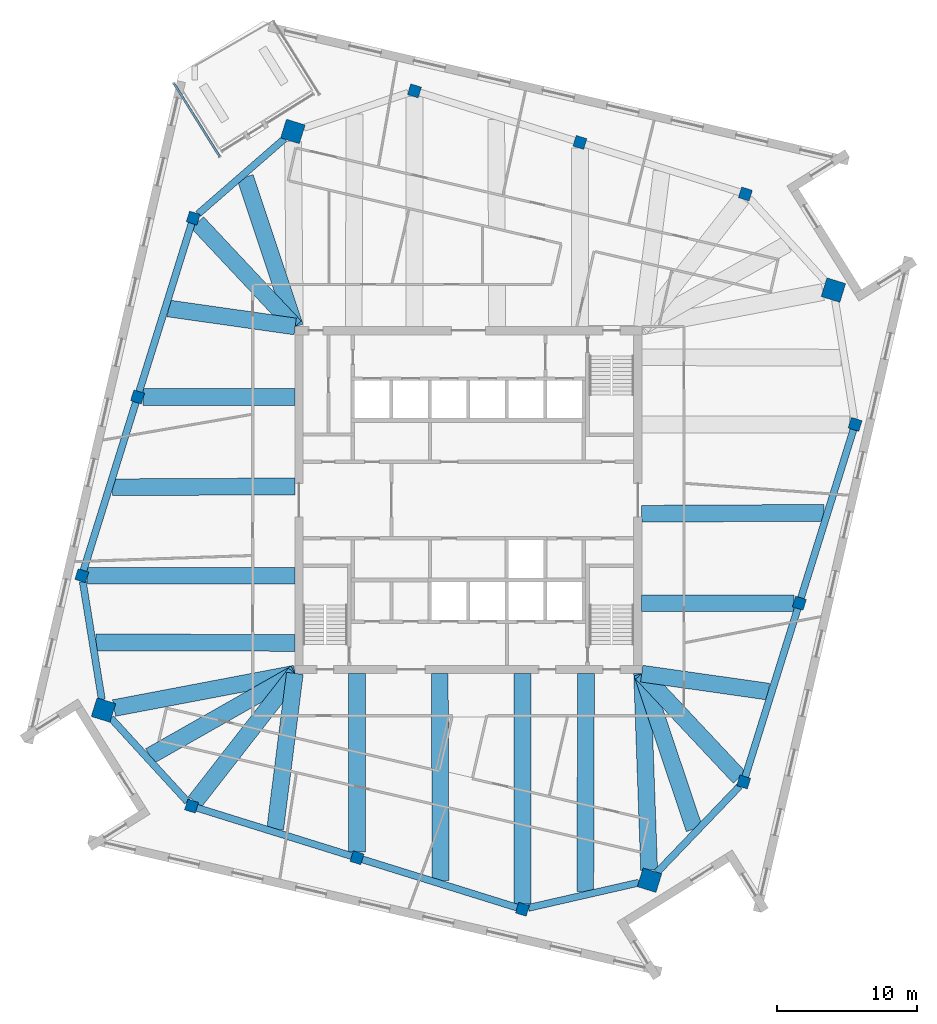
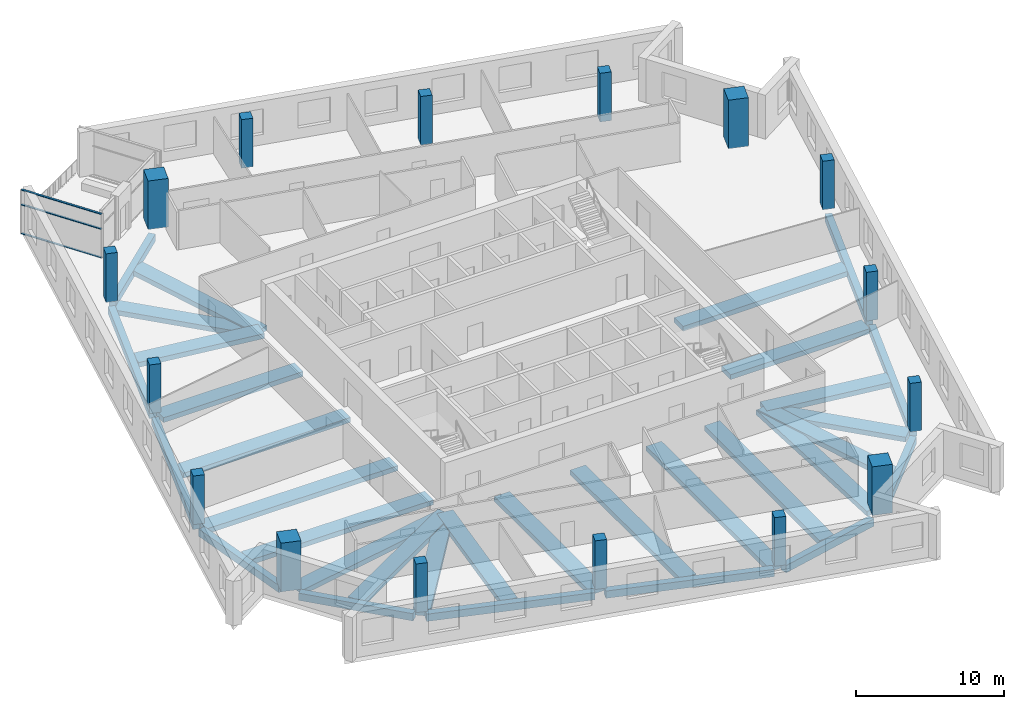
# One storey, part 1 of 14: 32 beams, 16 columns, 3 members, 1 element without a shape of its own.
"""IFC4 building model written with IfcOpenShell, lengths in metres."""

from ifc_helpers import new_model, si_unit, direction, frame, origin, origin_2d, place, context, subcontext, project, spatial, rectangle, extrude, material, material_profile, profile_set, type_object, element, aggregate, save


model = new_model("IFC4")

# Units and contexts
model_context = context("Model", 3, precision=1e-05, world=origin(), true_north=direction((0.0, 1.0)))
body_context = subcontext(model_context, "Body", "Model", "MODEL_VIEW")
ifc_project = project(units=[si_unit("LENGTHUNIT", "METRE"), si_unit("AREAUNIT", "SQUARE_METRE"), si_unit("VOLUMEUNIT", "CUBIC_METRE"), si_unit("PLANEANGLEUNIT", "RADIAN"), si_unit("MASSUNIT", "GRAM", prefix="KILO")], contexts=[model_context])

# Site, building, storey
site_placement = place(None, origin())
site = spatial("IfcSite", under=ifc_project, at=site_placement, CompositionType="ELEMENT")
building_placement = place(site_placement, origin())
building = spatial("IfcBuilding", under=site, at=building_placement, Name="Dilmun Exchange Tower", CompositionType="ELEMENT")
storey_placement = place(building_placement, frame((0.0, 0.0, 340.5)))
storey = spatial("IfcBuildingStorey", under=building, at=storey_placement, Name="L81", CompositionType="ELEMENT", Elevation=340.5)

# Columns
ifc_material_1 = material(Name="Concrete C50/60", Category="concrete")
ifc_material_profile_1 = material_profile(ifc_material_1, rectangle(XDim=1.39990234375, YDim=1.39990234375, at=origin_2d()), Name="1400 x 1400")
ifc_profile_set_1 = profile_set([ifc_material_profile_1], Name="Concrete C50/60")
column_type_1 = type_object("IfcColumnType", Name="RC mega column 1400 x 1400 C50/60", PredefinedType="COLUMN", material=ifc_profile_set_1)
for number, where, z_axis, x_axis, name in (
    (1, (-12.537109375, 26.322021484375, 0.0), (0.0, 0.0, 1.0), (0.297503182032, 0.954720826567, 0.0), "Mega column M1"),
    (2, (-26.06005859375, -14.9951171875, 0.0), (0.0, 0.0, 1.0), (0.297503182032, 0.954720826567, 0.0), "Mega column M2"),
    (3, (12.928955078125, -27.14404296875, 0.0), (0.0, 0.0, 1.0), (0.297503182032, 0.954720826567, 0.0), "Mega column M3"),
    (4, (26.06005859375, 14.9951171875, 0.0), (0.0, 0.0, 1.0), (0.297503182032, 0.954720826567, 0.0), "Mega column M4"),
):
    element("IfcColumn", number, at=place(storey_placement, frame(where, z_axis=z_axis, x_axis=x_axis)), inside=storey, type_object=column_type_1, Name=name, PredefinedType="COLUMN", context=body_context, shape_type="SweptSolid", body=[
        extrude(rectangle(XDim=1.39990234375, YDim=1.39990234375, at=origin_2d()), origin(), (0.0, 0.0, 1.0), 4.0),
    ])
ifc_material_profile_2 = material_profile(ifc_material_1, rectangle(XDim=0.800048828125, YDim=0.800048828125, at=origin_2d()), Name="800 x 800")
ifc_profile_set_2 = profile_set([ifc_material_profile_2], Name="Concrete C50/60")
column_type_2 = type_object("IfcColumnType", Name="RC ring column 800 x 800 C50/60", PredefinedType="COLUMN", material=ifc_profile_set_2)
for number, where, z_axis, x_axis, name in (
    (5, (-19.64990234375, 20.133056640625, 0.0), (0.0, 0.0, 1.0), (0.297503182032, 0.954720826567, 0.0), "Ring column R01"),
    (6, (-23.62890625, 7.363037109375, 0.0), (0.0, 0.0, 1.0), (0.297503182032, 0.954720826567, 0.0), "Ring column R02"),
    (7, (-27.60791015625, -5.406005859375, 0.0), (0.0, 0.0, 1.0), (0.297503182032, 0.954720826567, 0.0), "Ring column R03"),
    (8, (-19.77294921875, -21.85693359375, 0.0), (0.0, 0.0, 1.0), (0.297503182032, 0.954720826567, 0.0), "Ring column R04"),
    (9, (-7.9580078125, -25.5390625, 0.0), (0.0, 0.0, 1.0), (0.297503182032, 0.954720826567, 0.0), "Ring column R05"),
    (10, (3.85595703125, -29.219970703125, 0.0), (0.0, 0.0, 1.0), (0.297503182032, 0.954720826567, 0.0), "Ring column R06"),
    (11, (19.64990234375, -20.133056640625, 0.0), (0.0, 0.0, 1.0), (0.297503182032, 0.954720826567, 0.0), "Ring column R07"),
    (12, (23.62890625, -7.363037109375, 0.0), (0.0, 0.0, 1.0), (0.297503182032, 0.954720826567, 0.0), "Ring column R08"),
    (13, (27.60791015625, 5.406005859375, 0.0), (0.0, 0.0, 1.0), (0.297503182032, 0.954720826567, 0.0), "Ring column R09"),
    (14, (19.77294921875, 21.85693359375, 0.0), (0.0, 0.0, 1.0), (0.297503182032, 0.954720826567, 0.0), "Ring column R10"),
    (15, (7.9580078125, 25.5390625, 0.0), (0.0, 0.0, 1.0), (0.297503182032, 0.954720826567, 0.0), "Ring column R11"),
    (16, (-3.85595703125, 29.219970703125, 0.0), (0.0, 0.0, 1.0), (0.297503182032, 0.954720826567, 0.0), "Ring column R12"),
):
    element("IfcColumn", number, at=place(storey_placement, frame(where, z_axis=z_axis, x_axis=x_axis)), inside=storey, type_object=column_type_2, Name=name, PredefinedType="COLUMN", context=body_context, shape_type="SweptSolid", body=[
        extrude(rectangle(XDim=0.800048828125, YDim=0.800048828125, at=origin_2d()), origin(), (0.0, 0.0, 1.0), 4.0),
    ])

# Curtain wall, members
ifc_material_2 = material(Name="Anodised aluminium and clear glass", Category="aluminium")
curtain_wall_type = type_object("IfcCurtainWallType", Name="Garden corner glazing", PredefinedType="NOTDEFINED", material=ifc_material_2)
curtain_wall_placement = place(storey_placement, origin())
curtain_wall = element("IfcCurtainWall", 17, at=curtain_wall_placement, inside=storey, type_object=curtain_wall_type, Name="Garden corner glazing run GC3.1", PredefinedType="NOTDEFINED")
ifc_material_3 = material(Name="Anodised aluminium", Category="aluminium")
ifc_material_profile_3 = material_profile(ifc_material_3, rectangle(XDim=0.159912109375, YDim=0.06005859375, at=origin_2d()), Name="AL 60x160")
ifc_profile_set_3 = profile_set([ifc_material_profile_3], Name="Anodised aluminium")
member_type = type_object("IfcMemberType", Name="Garden corner glazing transom 60 x 160", PredefinedType="USERDEFINED", material=ifc_profile_set_3)
member_1_placement = place(storey_placement, frame((-17.772705078125, 24.540283203125, 0.030029296875), z_axis=(-0.529923715671, 0.848045314573, 0.0), x_axis=(-0.848045314573, -0.529923715671, 0.0)))
member_1 = element("IfcMember", 18, at=member_1_placement, type_object=member_type, Name="GC3.1 transom 1.1", ObjectType="TRANSOM", PredefinedType="USERDEFINED", context=body_context, shape_type="SweptSolid", body=[
    extrude(rectangle(XDim=0.159912109375, YDim=0.06005859375, at=origin_2d()), origin(), (0.0, 0.0, 1.0), 6.12646484375),
])
member_2_placement = place(storey_placement, frame((-17.772705078125, 24.540283203125, 2.39990234375), z_axis=(-0.529923715671, 0.848045314573, 0.0), x_axis=(-0.848045314573, -0.529923715671, 0.0)))
member_2 = element("IfcMember", 19, at=member_2_placement, type_object=member_type, Name="GC3.1 transom 1.2", ObjectType="TRANSOM", PredefinedType="USERDEFINED", context=body_context, shape_type="SweptSolid", body=[
    extrude(rectangle(XDim=0.159912109375, YDim=0.06005859375, at=origin_2d()), origin(), (0.0, 0.0, 1.0), 6.12646484375),
])
member_3_placement = place(storey_placement, frame((-17.772705078125, 24.540283203125, 3.6201171875), z_axis=(-0.529923715671, 0.848045314573, 0.0), x_axis=(-0.848045314573, -0.529923715671, 0.0)))
member_3 = element("IfcMember", 20, at=member_3_placement, type_object=member_type, Name="GC3.1 transom 1.3", ObjectType="TRANSOM", PredefinedType="USERDEFINED", context=body_context, shape_type="SweptSolid", body=[
    extrude(rectangle(XDim=0.159912109375, YDim=0.06005859375, at=origin_2d()), origin(), (0.0, 0.0, 1.0), 6.12646484375),
])
aggregate(curtain_wall, [member_1, member_2, member_3])

# Beams
ifc_material_4 = material(Name="Concrete C40/50", Category="concrete")
ifc_material_profile_4 = material_profile(ifc_material_4, rectangle(XDim=1.199951171875, YDim=0.39990234375, at=origin_2d()), Name="1200 x 400")
ifc_profile_set_4 = profile_set([ifc_material_profile_4], Name="Concrete C40/50")
beam_type_1 = type_object("IfcBeamType", Name="RC band beam 1200 x 400 C40/50", PredefinedType="BEAM", material=ifc_profile_set_4)
beam_1_placement = place(storey_placement, frame((-19.35400390625, 19.8173828125, -0.64990234375), z_axis=(0.683952281649, -0.729526748261, 0.0), x_axis=(0.729526748261, 0.683952281649, 0.0)))
element("IfcBeam", 21, at=beam_1_placement, inside=storey, type_object=beam_type_1, Name="Band beam 2", PredefinedType="BEAM", context=body_context, shape_type="SweptSolid", body=[
    extrude(rectangle(XDim=1.199951171875, YDim=0.39990234375, at=origin_2d()), origin(), (0.0, 0.0, 1.0), 10.1943359375),
])
beam_2_placement = place(storey_placement, frame((-23.237060546875, 7.363037109375, -0.64990234375), z_axis=(1.0, 0.0, 0.0), x_axis=(0.0, 1.0, 0.0)))
element("IfcBeam", 22, at=beam_2_placement, inside=storey, type_object=beam_type_1, Name="Band beam 3", PredefinedType="BEAM", context=body_context, shape_type="SweptSolid", body=[
    extrude(rectangle(XDim=1.199951171875, YDim=0.39990234375, at=origin_2d()), origin(), (0.0, 0.0, 1.0), 10.864013671875),
])
beam_3_placement = place(storey_placement, frame((-27.216064453125, -5.406005859375, -0.64990234375), z_axis=(1.0, 0.0, 0.0), x_axis=(0.0, 1.0, 0.0)))
element("IfcBeam", 23, at=beam_3_placement, inside=storey, type_object=beam_type_1, Name="Band beam 4", PredefinedType="BEAM", context=body_context, shape_type="SweptSolid", body=[
    extrude(rectangle(XDim=1.199951171875, YDim=0.39990234375, at=origin_2d()), origin(), (0.0, 0.0, 1.0), 14.843017578125),
])
beam_4_placement = place(storey_placement, frame((-25.30712890625, -14.85205078125, -0.64990234375), z_axis=(0.982429348436, 0.18663487169, 0.0), x_axis=(-0.18663487169, 0.982429348436, 0.0)))
element("IfcBeam", 24, at=beam_4_placement, inside=storey, type_object=beam_type_1, Name="Band beam 5", PredefinedType="BEAM", context=body_context, shape_type="SweptSolid", body=[
    extrude(rectangle(XDim=1.199951171875, YDim=0.39990234375, at=origin_2d()), origin(), (0.0, 0.0, 1.0), 13.164794921875),
])
beam_5_placement = place(storey_placement, frame((-19.52685546875, -21.541259765625, -0.64990234375), z_axis=(0.614856714099, 0.788638840743, 0.0), x_axis=(-0.788638840743, 0.614856714099, 0.0)))
element("IfcBeam", 25, at=beam_5_placement, inside=storey, type_object=beam_type_1, Name="Band beam 6", PredefinedType="BEAM", context=body_context, shape_type="SweptSolid", body=[
    extrude(rectangle(XDim=1.199951171875, YDim=0.39990234375, at=origin_2d()), origin(), (0.0, 0.0, 1.0), 11.6181640625),
])
beam_6_placement = place(storey_placement, frame((-7.9580078125, -25.14697265625, -0.64990234375), z_axis=(0.0, 1.0, 0.0), x_axis=(-1.0, 0.0, 0.0)))
element("IfcBeam", 26, at=beam_6_placement, inside=storey, type_object=beam_type_1, Name="Band beam 7", PredefinedType="BEAM", context=body_context, shape_type="SweptSolid", body=[
    extrude(rectangle(XDim=1.199951171875, YDim=0.39990234375, at=origin_2d()), origin(), (0.0, 0.0, 1.0), 12.77392578125),
])
beam_7_placement = place(storey_placement, frame((3.85595703125, -28.827880859375, -0.64990234375), z_axis=(0.0, 1.0, 0.0), x_axis=(-1.0, 0.0, 0.0)))
element("IfcBeam", 27, at=beam_7_placement, inside=storey, type_object=beam_type_1, Name="Band beam 8", PredefinedType="BEAM", context=body_context, shape_type="SweptSolid", body=[
    extrude(rectangle(XDim=1.199951171875, YDim=0.39990234375, at=origin_2d()), origin(), (0.0, 0.0, 1.0), 16.454833984375),
])
beam_8_placement = place(storey_placement, frame((12.9033203125, -26.429443359375, -0.64990234375), z_axis=(-0.035860549827, 0.999356803632, 0.0), x_axis=(-0.999356803632, -0.035860549827, 0.0)))
element("IfcBeam", 28, at=beam_8_placement, inside=storey, type_object=beam_type_1, Name="Band beam 9", PredefinedType="BEAM", context=body_context, shape_type="SweptSolid", body=[
    extrude(rectangle(XDim=1.199951171875, YDim=0.39990234375, at=origin_2d()), origin(), (0.0, 0.0, 1.0), 14.0654296875),
])
beam_9_placement = place(storey_placement, frame((19.35400390625, -19.8173828125, -0.64990234375), z_axis=(-0.683952281649, 0.729526748261, 0.0), x_axis=(-0.729526748261, -0.683952281649, 0.0)))
element("IfcBeam", 29, at=beam_9_placement, inside=storey, type_object=beam_type_1, Name="Band beam 10", PredefinedType="BEAM", context=body_context, shape_type="SweptSolid", body=[
    extrude(rectangle(XDim=1.199951171875, YDim=0.39990234375, at=origin_2d()), origin(), (0.0, 0.0, 1.0), 10.1943359375),
])
beam_10_placement = place(storey_placement, frame((23.237060546875, -7.363037109375, -0.64990234375), z_axis=(-1.0, 0.0, 0.0), x_axis=(0.0, -1.0, 0.0)))
element("IfcBeam", 30, at=beam_10_placement, inside=storey, type_object=beam_type_1, Name="Band beam 11", PredefinedType="BEAM", context=body_context, shape_type="SweptSolid", body=[
    extrude(rectangle(XDim=1.199951171875, YDim=0.39990234375, at=origin_2d()), origin(), (0.0, 0.0, 1.0), 10.864013671875),
])
beam_11_placement = place(storey_placement, frame((-15.947021484375, 23.059326171875, -0.550048828125), z_axis=(0.315752926282, -0.948841445946, 0.0), x_axis=(0.948841445946, 0.315752926282, 0.0)))
element("IfcBeam", 31, at=beam_11_placement, inside=storey, type_object=beam_type_1, Name="Band beam 17", PredefinedType="BEAM", context=body_context, shape_type="SweptSolid", body=[
    extrude(rectangle(XDim=1.199951171875, YDim=0.39990234375, at=origin_2d()), origin(), (0.0, 0.0, 1.0), 11.260986328125),
])
beam_12_placement = place(storey_placement, frame((-21.426513671875, 13.681640625, -0.550048828125), z_axis=(0.990066629404, -0.140598966357, 0.0), x_axis=(0.140598966357, 0.990066629404, 0.0)))
element("IfcBeam", 32, at=beam_12_placement, inside=storey, type_object=beam_type_1, Name="Band beam 18", PredefinedType="BEAM", context=body_context, shape_type="SweptSolid", body=[
    extrude(rectangle(XDim=1.199951171875, YDim=0.39990234375, at=origin_2d()), origin(), (0.0, 0.0, 1.0), 9.14404296875),
])
beam_13_placement = place(storey_placement, frame((-25.405517578125, 0.912109375, -0.550048828125), z_axis=(0.999987018468, 0.005095379798, 0.0), x_axis=(-0.005095379798, 0.999987018468, 0.0)))
element("IfcBeam", 33, at=beam_13_placement, inside=storey, type_object=beam_type_1, Name="Band beam 19", PredefinedType="BEAM", context=body_context, shape_type="SweptSolid", body=[
    extrude(rectangle(XDim=1.199951171875, YDim=0.39990234375, at=origin_2d()), origin(), (0.0, 0.0, 1.0), 13.03271484375),
])
beam_14_placement = place(storey_placement, frame((-26.614013671875, -10.1650390625, -0.550048828125), z_axis=(0.999996910379, -0.002485806038, 0.0), x_axis=(0.002485806038, 0.999996910379, 0.0)))
element("IfcBeam", 34, at=beam_14_placement, inside=storey, type_object=beam_type_1, Name="Band beam 20", PredefinedType="BEAM", context=body_context, shape_type="SweptSolid", body=[
    extrude(rectangle(XDim=1.199951171875, YDim=0.39990234375, at=origin_2d()), origin(), (0.0, 0.0, 1.0), 14.240966796875),
])
beam_15_placement = place(storey_placement, frame((-22.752197265625, -18.275390625, -0.550048828125), z_axis=(0.869690188955, 0.493597989496, 0.0), x_axis=(-0.493597989496, 0.869690188955, 0.0)))
element("IfcBeam", 35, at=beam_15_placement, inside=storey, type_object=beam_type_1, Name="Band beam 21", PredefinedType="BEAM", context=body_context, shape_type="SweptSolid", body=[
    extrude(rectangle(XDim=1.199951171875, YDim=0.39990234375, at=origin_2d()), origin(), (0.0, 0.0, 1.0), 11.93017578125),
])
beam_16_placement = place(storey_placement, frame((-13.79931640625, -23.485107421875, -0.550048828125), z_axis=(0.125252659456, 0.992124876867, 0.0), x_axis=(-0.992124876867, 0.125252659456, 0.0)))
element("IfcBeam", 36, at=beam_16_placement, inside=storey, type_object=beam_type_1, Name="Band beam 22", PredefinedType="BEAM", context=body_context, shape_type="SweptSolid", body=[
    extrude(rectangle(XDim=1.199951171875, YDim=0.39990234375, at=origin_2d()), origin(), (0.0, 0.0, 1.0), 11.199951171875),
])
beam_17_placement = place(storey_placement, frame((-1.984619140625, -27.16650390625, -0.550048828125), z_axis=(-0.004488848064, 0.999989925071, 0.0), x_axis=(-0.999989925071, -0.004488848064, 0.0)))
element("IfcBeam", 37, at=beam_17_placement, inside=storey, type_object=beam_type_1, Name="Band beam 23", PredefinedType="BEAM", context=body_context, shape_type="SweptSolid", body=[
    extrude(rectangle(XDim=1.199951171875, YDim=0.39990234375, at=origin_2d()), origin(), (0.0, 0.0, 1.0), 14.793701171875),
])
beam_18_placement = place(storey_placement, frame((8.3427734375, -27.964599609375, -0.550048828125), z_axis=(0.003194321582, 0.999994898142, 0.0), x_axis=(-0.999994898142, 0.003194321582, 0.0)))
element("IfcBeam", 38, at=beam_18_placement, inside=storey, type_object=beam_type_1, Name="Band beam 24", PredefinedType="BEAM", context=body_context, shape_type="SweptSolid", body=[
    extrude(rectangle(XDim=1.199951171875, YDim=0.39990234375, at=origin_2d()), origin(), (0.0, 0.0, 1.0), 15.591552734375),
])
beam_19_placement = place(storey_placement, frame((16.12841796875, -23.484130859375, -0.550048828125), z_axis=(-0.318844720982, 0.947806965527, 0.0), x_axis=(-0.947806965527, -0.318844720982, 0.0)))
element("IfcBeam", 39, at=beam_19_placement, inside=storey, type_object=beam_type_1, Name="Band beam 25", PredefinedType="BEAM", context=body_context, shape_type="SweptSolid", body=[
    extrude(rectangle(XDim=1.199951171875, YDim=0.39990234375, at=origin_2d()), origin(), (0.0, 0.0, 1.0), 11.721435546875),
])
beam_20_placement = place(storey_placement, frame((21.426513671875, -13.681640625, -0.550048828125), z_axis=(-0.990066629404, 0.140598966357, 0.0), x_axis=(-0.140598966357, -0.990066629404, 0.0)))
element("IfcBeam", 40, at=beam_20_placement, inside=storey, type_object=beam_type_1, Name="Band beam 26", PredefinedType="BEAM", context=body_context, shape_type="SweptSolid", body=[
    extrude(rectangle(XDim=1.199951171875, YDim=0.39990234375, at=origin_2d()), origin(), (0.0, 0.0, 1.0), 9.14404296875),
])
beam_21_placement = place(storey_placement, frame((25.405517578125, -0.912109375, -0.550048828125), z_axis=(-0.999987018468, -0.005095379798, 0.0), x_axis=(0.005095379798, -0.999987018468, 0.0)))
element("IfcBeam", 41, at=beam_21_placement, inside=storey, type_object=beam_type_1, Name="Band beam 27", PredefinedType="BEAM", context=body_context, shape_type="SweptSolid", body=[
    extrude(rectangle(XDim=1.199951171875, YDim=0.39990234375, at=origin_2d()), origin(), (0.0, 0.0, 1.0), 13.03271484375),
])
ifc_material_profile_5 = material_profile(ifc_material_4, rectangle(XDim=0.5, YDim=0.60009765625, at=origin_2d()), Name="500 x 600")
ifc_profile_set_5 = profile_set([ifc_material_profile_5], Name="Concrete C40/50")
beam_type_2 = type_object("IfcBeamType", Name="RC ring beam 500 x 600 C40/50", PredefinedType="SPANDREL", material=ifc_profile_set_5)
beam_22_placement = place(storey_placement, frame((-13.13720703125, 25.7998046875, -0.64990234375), z_axis=(-0.754412964807, -0.656400090289, 0.0), x_axis=(0.656400090289, -0.754412964807, 0.0)))
element("IfcBeam", 42, at=beam_22_placement, inside=storey, type_object=beam_type_2, Name="Ring beam 1", PredefinedType="SPANDREL", context=body_context, shape_type="SweptSolid", body=[
    extrude(rectangle(XDim=0.5, YDim=0.60009765625, at=origin_2d()), origin(), (0.0, 0.0, 1.0), 8.190185546875),
])
beam_23_placement = place(storey_placement, frame((-19.760986328125, 19.77685546875, -0.64990234375), z_axis=(-0.297481296371, -0.954727646143, 0.0), x_axis=(0.954727646143, -0.297481296371, 0.0)))
element("IfcBeam", 43, at=beam_23_placement, inside=storey, type_object=beam_type_2, Name="Ring beam 2", PredefinedType="SPANDREL", context=body_context, shape_type="SweptSolid", body=[
    extrude(rectangle(XDim=0.5, YDim=0.60009765625, at=origin_2d()), origin(), (0.0, 0.0, 1.0), 12.629638671875),
])
beam_24_placement = place(storey_placement, frame((-23.739990234375, 7.0068359375, -0.64990234375), z_axis=(-0.297508749799, -0.954719091562, 0.0), x_axis=(0.954719091562, -0.297508749799, 0.0)))
element("IfcBeam", 44, at=beam_24_placement, inside=storey, type_object=beam_type_2, Name="Ring beam 3", PredefinedType="SPANDREL", context=body_context, shape_type="SweptSolid", body=[
    extrude(rectangle(XDim=0.5, YDim=0.60009765625, at=origin_2d()), origin(), (0.0, 0.0, 1.0), 12.62841796875),
])
beam_25_placement = place(storey_placement, frame((-27.541015625, -5.820556640625, -0.64990234375), z_axis=(0.159356501233, -0.987221102649, 0.0), x_axis=(0.987221102649, 0.159356501233, 0.0)))
element("IfcBeam", 45, at=beam_25_placement, inside=storey, type_object=beam_type_2, Name="Ring beam 4", PredefinedType="SPANDREL", context=body_context, shape_type="SweptSolid", body=[
    extrude(rectangle(XDim=0.5, YDim=0.60009765625, at=origin_2d()), origin(), (0.0, 0.0, 1.0), 8.5380859375),
])
beam_26_placement = place(storey_placement, frame((-25.531005859375, -15.572265625, -0.64990234375), z_axis=(0.675535971399, -0.737327031476, 0.0), x_axis=(0.737327031476, 0.675535971399, 0.0)))
element("IfcBeam", 46, at=beam_26_placement, inside=storey, type_object=beam_type_2, Name="Ring beam 5", PredefinedType="SPANDREL", context=body_context, shape_type="SweptSolid", body=[
    extrude(rectangle(XDim=0.5, YDim=0.60009765625, at=origin_2d()), origin(), (0.0, 0.0, 1.0), 8.087890625),
])
beam_27_placement = place(storey_placement, frame((-19.4169921875, -21.968017578125, -0.64990234375), z_axis=(0.95471613385, -0.297518241065, 0.0), x_axis=(0.297518241065, 0.95471613385, 0.0)))
element("IfcBeam", 47, at=beam_27_placement, inside=storey, type_object=beam_type_2, Name="Ring beam 6", PredefinedType="SPANDREL", context=body_context, shape_type="SweptSolid", body=[
    extrude(rectangle(XDim=0.5, YDim=0.60009765625, at=origin_2d()), origin(), (0.0, 0.0, 1.0), 11.62939453125),
])
beam_28_placement = place(storey_placement, frame((-7.601806640625, -25.64990234375, -0.64990234375), z_axis=(0.954732553331, -0.297465546931, 0.0), x_axis=(0.297465546931, 0.954732553331, 0.0)))
element("IfcBeam", 48, at=beam_28_placement, inside=storey, type_object=beam_type_2, Name="Ring beam 7", PredefinedType="SPANDREL", context=body_context, shape_type="SweptSolid", body=[
    extrude(rectangle(XDim=0.5, YDim=0.60009765625, at=origin_2d()), origin(), (0.0, 0.0, 1.0), 11.628173828125),
])
beam_29_placement = place(storey_placement, frame((4.28076171875, -29.122802734375, -0.64990234375), z_axis=(0.974807153913, 0.223049350324, 0.0), x_axis=(-0.223049350324, 0.974807153913, 0.0)))
element("IfcBeam", 49, at=beam_29_placement, inside=storey, type_object=beam_type_2, Name="Ring beam 8", PredefinedType="SPANDREL", context=body_context, shape_type="SweptSolid", body=[
    extrude(rectangle(XDim=0.5, YDim=0.60009765625, at=origin_2d()), origin(), (0.0, 0.0, 1.0), 8.0888671875),
])
beam_30_placement = place(storey_placement, frame((13.451416015625, -26.598876953125, -0.64990234375), z_axis=(0.692021502551, 0.721876887016, 0.0), x_axis=(-0.721876887016, 0.692021502551, 0.0)))
element("IfcBeam", 50, at=beam_30_placement, inside=storey, type_object=beam_type_2, Name="Ring beam 9", PredefinedType="SPANDREL", context=body_context, shape_type="SweptSolid", body=[
    extrude(rectangle(XDim=0.5, YDim=0.60009765625, at=origin_2d()), origin(), (0.0, 0.0, 1.0), 8.537353515625),
])
beam_31_placement = place(storey_placement, frame((19.760986328125, -19.77685546875, -0.64990234375), z_axis=(0.297481296371, 0.954727646143, 0.0), x_axis=(-0.954727646143, 0.297481296371, 0.0)))
element("IfcBeam", 51, at=beam_31_placement, inside=storey, type_object=beam_type_2, Name="Ring beam 10", PredefinedType="SPANDREL", context=body_context, shape_type="SweptSolid", body=[
    extrude(rectangle(XDim=0.5, YDim=0.60009765625, at=origin_2d()), origin(), (0.0, 0.0, 1.0), 12.629638671875),
])
beam_32_placement = place(storey_placement, frame((23.739990234375, -7.0068359375, -0.64990234375), z_axis=(0.297508749799, 0.954719091562, 0.0), x_axis=(-0.954719091562, 0.297508749799, 0.0)))
element("IfcBeam", 52, at=beam_32_placement, inside=storey, type_object=beam_type_2, Name="Ring beam 11", PredefinedType="SPANDREL", context=body_context, shape_type="SweptSolid", body=[
    extrude(rectangle(XDim=0.5, YDim=0.60009765625, at=origin_2d()), origin(), (0.0, 0.0, 1.0), 12.62841796875),
])

save(model, "model.ifc")
